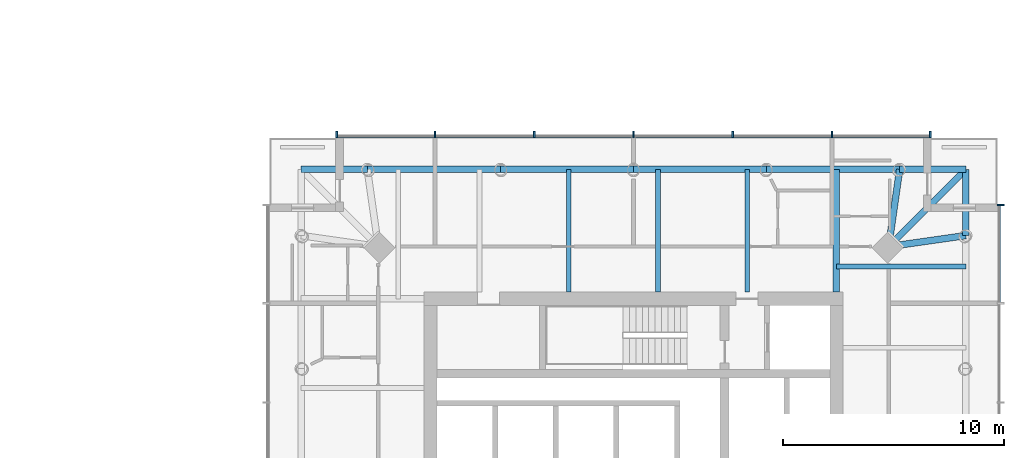
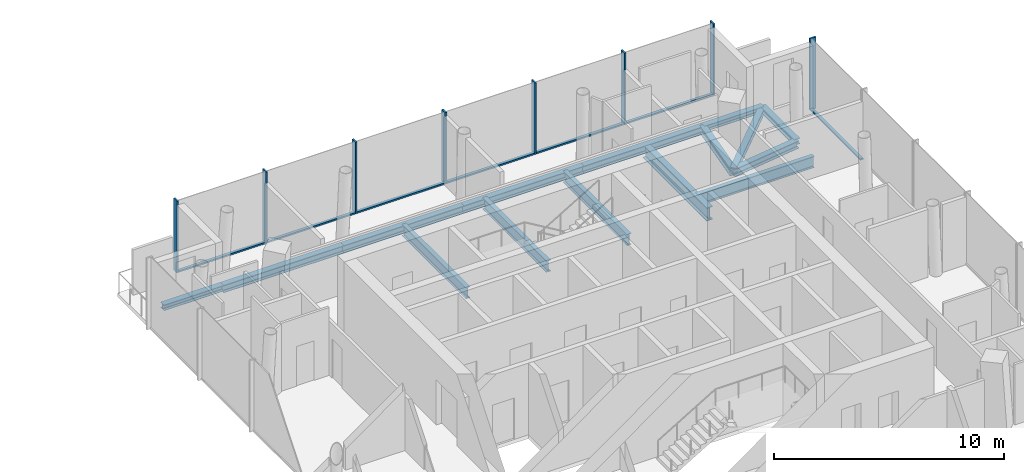
# One storey, part 5 of 27: 15 beams, 15 members, 2 elements without a shape of their own.
"""IFC4 building model written with IfcOpenShell, lengths in metres."""

from ifc_helpers import new_model, si_unit, direction, frame, origin, origin_2d, place, context, subcontext, project, spatial, rectangle, i_section, extrude, material, material_profile, profile_set, type_object, element, aggregate, save


model = new_model("IFC4")

# Units and contexts
model_context = context("Model", 3, precision=1e-05, world=origin(), true_north=direction((0.0, 1.0)))
body_context = subcontext(model_context, "Body", "Model", "MODEL_VIEW")
ifc_project = project(units=[si_unit("LENGTHUNIT", "METRE"), si_unit("AREAUNIT", "SQUARE_METRE"), si_unit("VOLUMEUNIT", "CUBIC_METRE"), si_unit("PLANEANGLEUNIT", "RADIAN"), si_unit("MASSUNIT", "GRAM", prefix="KILO")], contexts=[model_context])

# Site, building, storey
site_placement = place(None, origin())
site = spatial("IfcSite", under=ifc_project, at=site_placement, CompositionType="ELEMENT")
building_placement = place(site_placement, origin())
building = spatial("IfcBuilding", under=site, at=building_placement, Name="Ostroluk Exchange", CompositionType="ELEMENT")
storey_placement = place(building_placement, frame((0.0, 0.0, 112.199951171875)))
storey = spatial("IfcBuildingStorey", under=building, at=storey_placement, Name="L28", CompositionType="ELEMENT", Elevation=112.199951171875)

# Beams
ifc_material_1 = material(Name="Steel S355", Category="steel")
ifc_material_profile_1 = material_profile(ifc_material_1, i_section(OverallWidth=0.300048828125, OverallDepth=0.300048828125, WebThickness=0.010986328125, FlangeThickness=0.01904296875, FilletRadius=0.027099609375, at=origin_2d()), Name="HEB 300")
ifc_profile_set_1 = profile_set([ifc_material_profile_1], Name="Steel S355")
beam_type_1 = type_object("IfcBeamType", Name="Balcony beam HEB 300", PredefinedType="BEAM", material=ifc_profile_set_1)
for number, where, z_axis, x_axis, name in (
    (1, (132.06884765625, 58.06884765625, -0.349853515625), (0.0, 1.0, 0.0), (-1.0, 0.0, 0.0), "T2 east balcony beam a"),
    (2, (129.06884765625, 61.06884765625, -0.349853515625), (1.0, 0.0, 0.0), (0.0, 1.0, 0.0), "T2 east balcony beam b"),
):
    element("IfcBeam", number, at=place(storey_placement, frame(where, z_axis=z_axis, x_axis=x_axis)), inside=storey, type_object=beam_type_1, Name=name, PredefinedType="BEAM", context=body_context, shape_type="SweptSolid", body=[
        extrude(i_section(OverallWidth=0.300048828125, OverallDepth=0.300048828125, WebThickness=0.010986328125, FlangeThickness=0.01904296875, FilletRadius=0.027099609375, at=origin_2d()), origin(), (0.0, 0.0, 1.0), 3.0),
    ])
beam_1_placement = place(storey_placement, frame((128.56884765625, 57.56884765625, -0.349853515625), z_axis=(0.707106781187, 0.707106781187, 0.0), x_axis=(-0.707106781187, 0.707106781187, 0.0)))
element("IfcBeam", 3, at=beam_1_placement, inside=storey, type_object=beam_type_1, Name="T2 east balcony beam c", PredefinedType="BEAM", context=body_context, shape_type="SweptSolid", body=[
    extrude(i_section(OverallWidth=0.300048828125, OverallDepth=0.300048828125, WebThickness=0.010986328125, FlangeThickness=0.01904296875, FilletRadius=0.027099609375, at=origin_2d()), origin(), (0.0, 0.0, 1.0), 4.94970703125),
])
beam_2_placement = place(storey_placement, frame((104.93115234375, 61.06884765625, -0.349853515625), z_axis=(-1.0, 0.0, 0.0), x_axis=(0.0, -1.0, 0.0)))
element("IfcBeam", 4, at=beam_2_placement, inside=storey, type_object=beam_type_1, Name="T2 north balcony beam a", PredefinedType="BEAM", context=body_context, shape_type="SweptSolid", body=[
    extrude(i_section(OverallWidth=0.300048828125, OverallDepth=0.300048828125, WebThickness=0.010986328125, FlangeThickness=0.01904296875, FilletRadius=0.027099609375, at=origin_2d()), origin(), (0.0, 0.0, 1.0), 3.0),
])
ifc_material_2 = material(Name="Steel S355", Category="steel")
ifc_material_profile_2 = material_profile(ifc_material_2, i_section(OverallWidth=0.300048828125, OverallDepth=0.39990234375, WebThickness=0.013427734375, FlangeThickness=0.02392578125, FilletRadius=0.027099609375, at=origin_2d()), Name="HEB 400")
ifc_profile_set_2 = profile_set([ifc_material_profile_2], Name="Steel S355")
beam_type_2 = type_object("IfcBeamType", Name="Corner edge beam HEB 400", PredefinedType="SPANDREL", material=ifc_profile_set_2)
for number, where, z_axis, x_axis, name in (
    (5, (128.56884765625, 57.56884765625, -0.39990234375), (0.989949493661, 0.141421356237, 0.0), (-0.141421356237, 0.989949493661, 0.0), "T2 east corner edge beam a"),
    (6, (128.56884765625, 57.56884765625, -0.39990234375), (0.141421356237, 0.989949493661, 0.0), (-0.989949493661, 0.141421356237, 0.0), "T2 east corner edge beam b"),
):
    element("IfcBeam", number, at=place(storey_placement, frame(where, z_axis=z_axis, x_axis=x_axis)), inside=storey, type_object=beam_type_2, Name=name, PredefinedType="SPANDREL", context=body_context, shape_type="SweptSolid", body=[
        extrude(i_section(OverallWidth=0.300048828125, OverallDepth=0.39990234375, WebThickness=0.013427734375, FlangeThickness=0.02392578125, FilletRadius=0.027099609375, at=origin_2d()), origin(), (0.0, 0.0, 1.0), 3.53564453125),
    ])
ifc_material_3 = material(Name="Steel S355", Category="steel")
ifc_material_profile_3 = material_profile(ifc_material_3, i_section(OverallWidth=0.219970703125, OverallDepth=0.60009765625, WebThickness=0.011962890625, FlangeThickness=0.01904296875, FilletRadius=0.02392578125, at=origin_2d()), Name="IPE 600")
ifc_profile_set_3 = profile_set([ifc_material_profile_3], Name="Steel S355")
beam_type_3 = type_object("IfcBeamType", Name="Floor beam IPE 600", PredefinedType="BEAM", material=ifc_profile_set_3)
beam_3_placement = place(storey_placement, frame((126.199951171875, 56.6689453125, -0.5), z_axis=(1.0, 0.0, 0.0), x_axis=(0.0, 1.0, 0.0)))
element("IfcBeam", 7, at=beam_3_placement, inside=storey, type_object=beam_type_3, Name="T2 east floor beam 5", PredefinedType="BEAM", context=body_context, shape_type="SweptSolid", body=[
    extrude(i_section(OverallWidth=0.219970703125, OverallDepth=0.60009765625, WebThickness=0.011962890625, FlangeThickness=0.01904296875, FilletRadius=0.02392578125, at=origin_2d()), origin(), (0.0, 0.0, 1.0), 5.868896484375),
])
for number, where, z_axis, x_axis, name in (
    (8, (122.1552734375, 55.5, -0.5), (0.0, 1.0, 0.0), (-1.0, 0.0, 0.0), "T2 north floor beam 1"),
    (9, (118.1103515625, 55.5, -0.5), (0.0, 1.0, 0.0), (-1.0, 0.0, 0.0), "T2 north floor beam 2"),
    (10, (114.0654296875, 55.5, -0.5), (0.0, 1.0, 0.0), (-1.0, 0.0, 0.0), "T2 north floor beam 3"),
):
    element("IfcBeam", number, at=place(storey_placement, frame(where, z_axis=z_axis, x_axis=x_axis)), inside=storey, type_object=beam_type_3, Name=name, PredefinedType="BEAM", context=body_context, shape_type="SweptSolid", body=[
        extrude(i_section(OverallWidth=0.219970703125, OverallDepth=0.60009765625, WebThickness=0.011962890625, FlangeThickness=0.01904296875, FilletRadius=0.02392578125, at=origin_2d()), origin(), (0.0, 0.0, 1.0), 5.56884765625),
    ])
ifc_material_4 = material(Name="Steel S355", Category="steel")
ifc_material_profile_4 = material_profile(ifc_material_4, i_section(OverallWidth=0.300048828125, OverallDepth=0.699951171875, WebThickness=0.01708984375, FlangeThickness=0.031982421875, FilletRadius=0.027099609375, at=origin_2d()), Name="HEB 700")
ifc_profile_set_4 = profile_set([ifc_material_profile_4], Name="Steel S355")
beam_type_4 = type_object("IfcBeamType", Name="Girder HEB 700", PredefinedType="BEAM", material=ifc_profile_set_4)
beam_4_placement = place(storey_placement, frame((126.199951171875, 55.5, -0.550048828125), z_axis=(0.0, 1.0, 0.0), x_axis=(-1.0, 0.0, 0.0)))
element("IfcBeam", 11, at=beam_4_placement, inside=storey, type_object=beam_type_4, Name="T2 east girder", PredefinedType="BEAM", context=body_context, shape_type="SweptSolid", body=[
    extrude(i_section(OverallWidth=0.300048828125, OverallDepth=0.699951171875, WebThickness=0.01708984375, FlangeThickness=0.031982421875, FilletRadius=0.027099609375, at=origin_2d()), origin(), (0.0, 0.0, 1.0), 5.56884765625),
])
ifc_material_5 = material(Name="Steel S355", Category="steel")
ifc_material_profile_5 = material_profile(ifc_material_5, i_section(OverallWidth=0.300048828125, OverallDepth=0.39990234375, WebThickness=0.013427734375, FlangeThickness=0.02392578125, FilletRadius=0.027099609375, at=origin_2d()), Name="HEB 400")
ifc_profile_set_5 = profile_set([ifc_material_profile_5], Name="Steel S355")
beam_type_5 = type_object("IfcBeamType", Name="Moment-connected edge beam HEB 400", PredefinedType="SPANDREL", material=ifc_profile_set_5)
for number, where, z_axis, x_axis, name in (
    (12, (129.06884765625, 61.06884765625, -0.39990234375), (-1.0, 0.0, 0.0), (0.0, -1.0, 0.0), "T2 north edge beam 1"),
    (13, (123.034423828125, 61.06884765625, -0.39990234375), (-1.0, 0.0, 0.0), (0.0, -1.0, 0.0), "T2 north edge beam 2"),
    (14, (117.0, 61.06884765625, -0.39990234375), (-1.0, 0.0, 0.0), (0.0, -1.0, 0.0), "T2 north edge beam 3"),
    (15, (110.965576171875, 61.06884765625, -0.39990234375), (-1.0, 0.0, 0.0), (0.0, -1.0, 0.0), "T2 north edge beam 4"),
):
    element("IfcBeam", number, at=place(storey_placement, frame(where, z_axis=z_axis, x_axis=x_axis)), inside=storey, type_object=beam_type_5, Name=name, PredefinedType="SPANDREL", context=body_context, shape_type="SweptSolid", body=[
        extrude(i_section(OverallWidth=0.300048828125, OverallDepth=0.39990234375, WebThickness=0.013427734375, FlangeThickness=0.02392578125, FilletRadius=0.027099609375, at=origin_2d()), origin(), (0.0, 0.0, 1.0), 6.034423828125),
    ])

# Curtain wall, member
ifc_material_6 = material(Name="Laminated clear glass", Category="glass")
curtain_wall_type = type_object("IfcCurtainWallType", Name="Hotel guest floor facade", PredefinedType="USERDEFINED", material=ifc_material_6)
curtain_wall_1_placement = place(storey_placement, origin())
curtain_wall_1 = element("IfcCurtainWall", 16, at=curtain_wall_1_placement, inside=storey, type_object=curtain_wall_type, Name="Hotel tower east facade L28", ObjectType="UNITISED CURTAIN WALL", PredefinedType="USERDEFINED")
ifc_material_7 = material(Name="Aluminium mullion", Category="aluminium")
ifc_material_profile_6 = material_profile(ifc_material_7, rectangle(XDim=0.14990234375, YDim=0.080078125, at=origin_2d()), Name="Sill transom 80 x 150")
ifc_profile_set_6 = profile_set([ifc_material_profile_6], Name="Aluminium mullion")
member_type_1 = type_object("IfcMemberType", Name="Sill transom 80 x 150", PredefinedType="USERDEFINED", material=ifc_profile_set_6)
member_1_placement = place(storey_placement, frame((133.574951171875, 55.0400390625, 0.0400390625), z_axis=(0.0, 1.0, 0.0), x_axis=(-1.0, 0.0, 0.0)))
member_1 = element("IfcMember", 17, at=member_1_placement, type_object=member_type_1, Name="CW-H1 transom 6.1", ObjectType="TRANSOM", PredefinedType="USERDEFINED", context=body_context, shape_type="SweptSolid", body=[
    extrude(rectangle(XDim=0.14990234375, YDim=0.080078125, at=origin_2d()), origin(), (0.0, 0.0, 1.0), 4.3798828125),
])

# Curtain wall, members
curtain_wall_2_placement = place(storey_placement, origin())
curtain_wall_2 = element("IfcCurtainWall", 18, at=curtain_wall_2_placement, inside=storey, type_object=curtain_wall_type, Name="Hotel tower north facade L28", ObjectType="UNITISED CURTAIN WALL", PredefinedType="USERDEFINED")
member_2_placement = place(storey_placement, frame((130.419921875, 62.574951171875, 0.0400390625), z_axis=(-1.0, 0.0, 0.0), x_axis=(0.0, -1.0, 0.0)))
member_2 = element("IfcMember", 19, at=member_2_placement, type_object=member_type_1, Name="CW-H1 transom 1.1", ObjectType="TRANSOM", PredefinedType="USERDEFINED", context=body_context, shape_type="SweptSolid", body=[
    extrude(rectangle(XDim=0.14990234375, YDim=0.080078125, at=origin_2d()), origin(), (0.0, 0.0, 1.0), 4.3798828125),
])
member_3_placement = place(storey_placement, frame((125.9599609375, 62.574951171875, 0.0400390625), z_axis=(-1.0, 0.0, 0.0), x_axis=(0.0, -1.0, 0.0)))
member_3 = element("IfcMember", 20, at=member_3_placement, type_object=member_type_1, Name="CW-H1 transom 2.1", ObjectType="TRANSOM", PredefinedType="USERDEFINED", context=body_context, shape_type="SweptSolid", body=[
    extrude(rectangle(XDim=0.14990234375, YDim=0.080078125, at=origin_2d()), origin(), (0.0, 0.0, 1.0), 4.419921875),
])
member_4_placement = place(storey_placement, frame((121.4599609375, 62.574951171875, 0.0400390625), z_axis=(-1.0, 0.0, 0.0), x_axis=(0.0, -1.0, 0.0)))
member_4 = element("IfcMember", 21, at=member_4_placement, type_object=member_type_1, Name="CW-H1 transom 3.1", ObjectType="TRANSOM", PredefinedType="USERDEFINED", context=body_context, shape_type="SweptSolid", body=[
    extrude(rectangle(XDim=0.14990234375, YDim=0.080078125, at=origin_2d()), origin(), (0.0, 0.0, 1.0), 4.419921875),
])
member_5_placement = place(storey_placement, frame((116.9599609375, 62.574951171875, 0.0400390625), z_axis=(-1.0, 0.0, 0.0), x_axis=(0.0, -1.0, 0.0)))
member_5 = element("IfcMember", 22, at=member_5_placement, type_object=member_type_1, Name="CW-H1 transom 4.1", ObjectType="TRANSOM", PredefinedType="USERDEFINED", context=body_context, shape_type="SweptSolid", body=[
    extrude(rectangle(XDim=0.14990234375, YDim=0.080078125, at=origin_2d()), origin(), (0.0, 0.0, 1.0), 4.419921875),
])
member_6_placement = place(storey_placement, frame((112.4599609375, 62.574951171875, 0.0400390625), z_axis=(-1.0, 0.0, 0.0), x_axis=(0.0, -1.0, 0.0)))
member_6 = element("IfcMember", 23, at=member_6_placement, type_object=member_type_1, Name="CW-H1 transom 5.1", ObjectType="TRANSOM", PredefinedType="USERDEFINED", context=body_context, shape_type="SweptSolid", body=[
    extrude(rectangle(XDim=0.14990234375, YDim=0.080078125, at=origin_2d()), origin(), (0.0, 0.0, 1.0), 4.419921875),
])
member_7_placement = place(storey_placement, frame((107.9599609375, 62.574951171875, 0.0400390625), z_axis=(-1.0, 0.0, 0.0), x_axis=(0.0, -1.0, 0.0)))
member_7 = element("IfcMember", 24, at=member_7_placement, type_object=member_type_1, Name="CW-H1 transom 6.1", ObjectType="TRANSOM", PredefinedType="USERDEFINED", context=body_context, shape_type="SweptSolid", body=[
    extrude(rectangle(XDim=0.14990234375, YDim=0.080078125, at=origin_2d()), origin(), (0.0, 0.0, 1.0), 4.3798828125),
])

# Member
ifc_material_8 = material(Name="Aluminium mullion with limestone facing", Category="masonry")
ifc_material_profile_7 = material_profile(ifc_material_8, rectangle(XDim=0.300048828125, YDim=0.080078125, at=origin_2d()), Name="Tracery mullion 80 x 300")
ifc_profile_set_7 = profile_set([ifc_material_profile_7], Name="Aluminium mullion with limestone facing")
member_type_2 = type_object("IfcMemberType", Name="Tracery mullion 80 x 300", PredefinedType="MULLION", material=ifc_profile_set_7)
member_8_placement = place(storey_placement, frame((133.64990234375, 59.4599609375, 0.0), z_axis=(0.0, 0.0, 1.0), x_axis=(-1.0, 0.0, 0.0)))
member_8 = element("IfcMember", 25, at=member_8_placement, type_object=member_type_2, Name="CW-H1 mullion 7", PredefinedType="MULLION", context=body_context, shape_type="SweptSolid", body=[
    extrude(rectangle(XDim=0.300048828125, YDim=0.080078125, at=origin_2d()), origin(), (0.0, 0.0, 1.0), 3.800048828125),
])

aggregate(curtain_wall_1, [member_8, member_1])

member_9_placement = place(storey_placement, frame((130.4599609375, 62.64990234375, 0.0), z_axis=(0.0, 0.0, 1.0), x_axis=(0.0, -1.0, 0.0)))
member_9 = element("IfcMember", 26, at=member_9_placement, type_object=member_type_2, Name="CW-H1 mullion 1", PredefinedType="MULLION", context=body_context, shape_type="SweptSolid", body=[
    extrude(rectangle(XDim=0.300048828125, YDim=0.080078125, at=origin_2d()), origin(), (0.0, 0.0, 1.0), 3.800048828125),
])

member_10_placement = place(storey_placement, frame((126.0, 62.64990234375, 0.0), z_axis=(0.0, 0.0, 1.0), x_axis=(0.0, -1.0, 0.0)))
member_10 = element("IfcMember", 27, at=member_10_placement, type_object=member_type_2, Name="CW-H1 mullion 2", PredefinedType="MULLION", context=body_context, shape_type="SweptSolid", body=[
    extrude(rectangle(XDim=0.300048828125, YDim=0.080078125, at=origin_2d()), origin(), (0.0, 0.0, 1.0), 3.800048828125),
])

member_11_placement = place(storey_placement, frame((121.5, 62.64990234375, 0.0), z_axis=(0.0, 0.0, 1.0), x_axis=(0.0, -1.0, 0.0)))
member_11 = element("IfcMember", 28, at=member_11_placement, type_object=member_type_2, Name="CW-H1 mullion 3", PredefinedType="MULLION", context=body_context, shape_type="SweptSolid", body=[
    extrude(rectangle(XDim=0.300048828125, YDim=0.080078125, at=origin_2d()), origin(), (0.0, 0.0, 1.0), 3.800048828125),
])

member_12_placement = place(storey_placement, frame((117.0, 62.64990234375, 0.0), z_axis=(0.0, 0.0, 1.0), x_axis=(0.0, -1.0, 0.0)))
member_12 = element("IfcMember", 29, at=member_12_placement, type_object=member_type_2, Name="CW-H1 mullion 4", PredefinedType="MULLION", context=body_context, shape_type="SweptSolid", body=[
    extrude(rectangle(XDim=0.300048828125, YDim=0.080078125, at=origin_2d()), origin(), (0.0, 0.0, 1.0), 3.800048828125),
])

member_13_placement = place(storey_placement, frame((112.5, 62.64990234375, 0.0), z_axis=(0.0, 0.0, 1.0), x_axis=(0.0, -1.0, 0.0)))
member_13 = element("IfcMember", 30, at=member_13_placement, type_object=member_type_2, Name="CW-H1 mullion 5", PredefinedType="MULLION", context=body_context, shape_type="SweptSolid", body=[
    extrude(rectangle(XDim=0.300048828125, YDim=0.080078125, at=origin_2d()), origin(), (0.0, 0.0, 1.0), 3.800048828125),
])

member_14_placement = place(storey_placement, frame((108.0, 62.64990234375, 0.0), z_axis=(0.0, 0.0, 1.0), x_axis=(0.0, -1.0, 0.0)))
member_14 = element("IfcMember", 31, at=member_14_placement, type_object=member_type_2, Name="CW-H1 mullion 6", PredefinedType="MULLION", context=body_context, shape_type="SweptSolid", body=[
    extrude(rectangle(XDim=0.300048828125, YDim=0.080078125, at=origin_2d()), origin(), (0.0, 0.0, 1.0), 3.800048828125),
])

member_15_placement = place(storey_placement, frame((103.5400390625, 62.64990234375, 0.0), z_axis=(0.0, 0.0, 1.0), x_axis=(0.0, -1.0, 0.0)))
member_15 = element("IfcMember", 32, at=member_15_placement, type_object=member_type_2, Name="CW-H1 mullion 7", PredefinedType="MULLION", context=body_context, shape_type="SweptSolid", body=[
    extrude(rectangle(XDim=0.300048828125, YDim=0.080078125, at=origin_2d()), origin(), (0.0, 0.0, 1.0), 3.800048828125),
])

aggregate(curtain_wall_2, [member_9, member_10, member_11, member_12, member_13, member_14, member_15, member_2, member_3, member_4, member_5, member_6, member_7])

save(model, "model.ifc")
